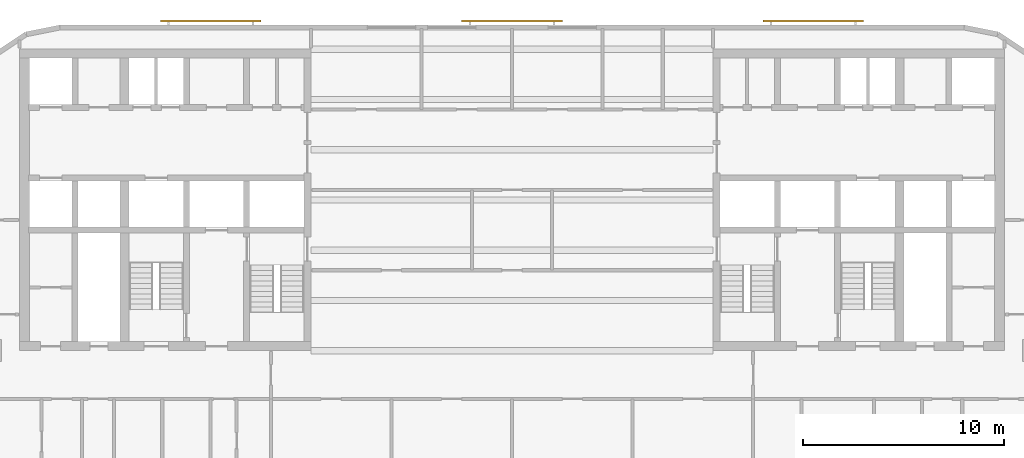
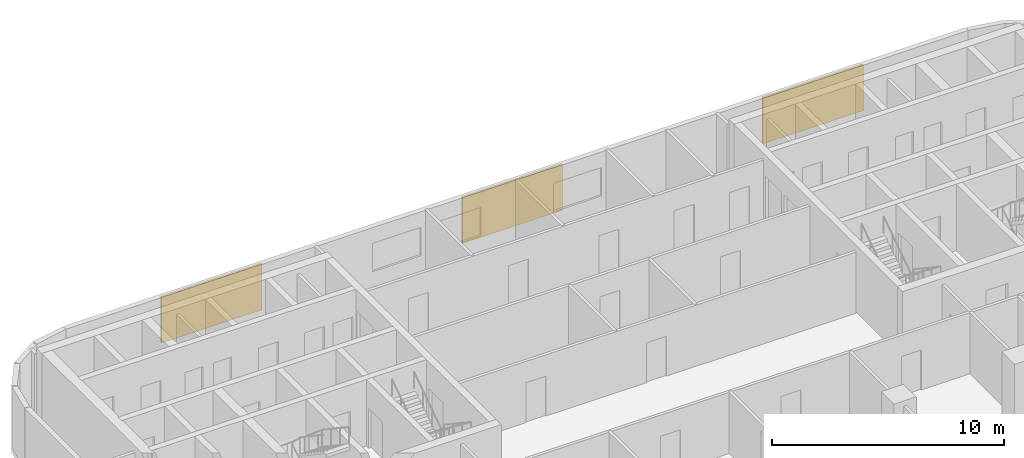
# One storey, part 10 of 11: 3 shading devices.
"""IFC4 building model written with IfcOpenShell, lengths in metres."""

from ifc_helpers import new_model, si_unit, direction, frame, origin, origin_2d, place, context, subcontext, project, spatial, rectangle, extrude, material, layer, layer_set, type_object, element, save


model = new_model("IFC4")

# Units and contexts
model_context = context("Model", 3, precision=1e-05, world=origin(), true_north=direction((0.0, 1.0)))
body_context = subcontext(model_context, "Body", "Model", "MODEL_VIEW")
ifc_project = project(units=[si_unit("LENGTHUNIT", "METRE"), si_unit("AREAUNIT", "SQUARE_METRE"), si_unit("VOLUMEUNIT", "CUBIC_METRE"), si_unit("PLANEANGLEUNIT", "RADIAN"), si_unit("MASSUNIT", "GRAM", prefix="KILO")], contexts=[model_context])

# Site, building, storey
site_placement = place(None, origin())
site = spatial("IfcSite", under=ifc_project, at=site_placement, CompositionType="ELEMENT")
building_placement = place(site_placement, origin())
building = spatial("IfcBuilding", under=site, at=building_placement, Name="Torana Hotel and Residences", CompositionType="ELEMENT")
storey_placement = place(building_placement, frame((0.0, 0.0, 239.60009765625)))
storey = spatial("IfcBuildingStorey", under=building, at=storey_placement, Name="L63", CompositionType="ELEMENT", Elevation=239.60009765625)

# Shading devices
ifc_material = material(Name="Concrete C40/50 precast", Category="concrete")
ifc_layer = layer(ifc_material, 0.10009765625)
ifc_layer_set = layer_set([ifc_layer], Name="SC1 PERFORATED BLOCK SCREEN PANEL 100")
shading_device_type = type_object("IfcShadingDeviceType", Name="SC1 PERFORATED BLOCK SCREEN PANEL 100", PredefinedType="USERDEFINED", material=ifc_layer_set)
for number, where, z_axis, x_axis, name in (
    (1, (14.983642578125, 1.39990234375, 0.5), (0.0, 0.0, 1.0), (-1.0, 0.0, 0.0), "Perforated block screen L63"),
    (2, (0.0, 1.39990234375, 0.5), (0.0, 0.0, 1.0), (-1.0, 0.0, 0.0), "Perforated block screen L63"),
    (3, (-14.983642578125, 1.39990234375, 0.5), (0.0, 0.0, 1.0), (-1.0, 0.0, 0.0), "Perforated block screen L63"),
):
    element("IfcShadingDevice", number, at=place(storey_placement, frame(where, z_axis=z_axis, x_axis=x_axis)), inside=storey, type_object=shading_device_type, Name=name, ObjectType="SCREEN", PredefinedType="USERDEFINED", context=body_context, shape_type="SweptSolid", body=[
        extrude(rectangle(XDim=5.0, YDim=0.10009765625, at=origin_2d()), origin(), (0.0, 0.0, 1.0), 2.419921875),
    ])

save(model, "model.ifc")
